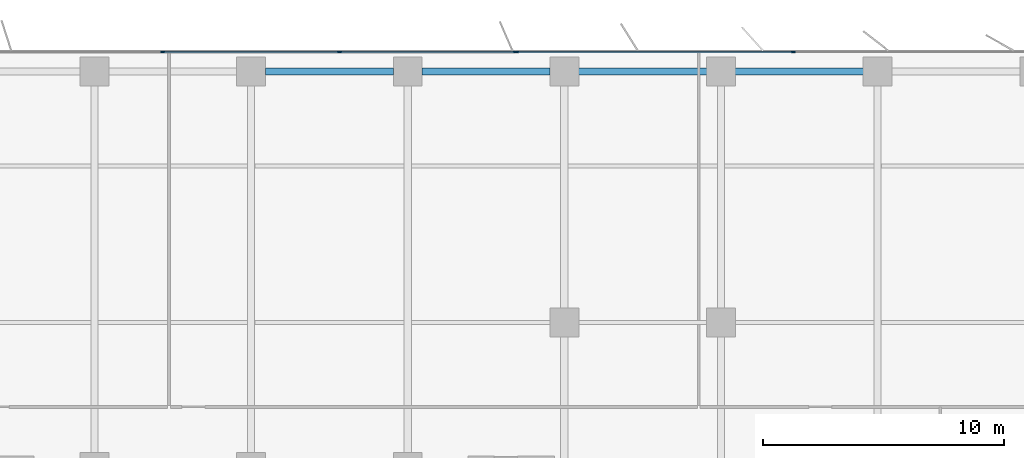
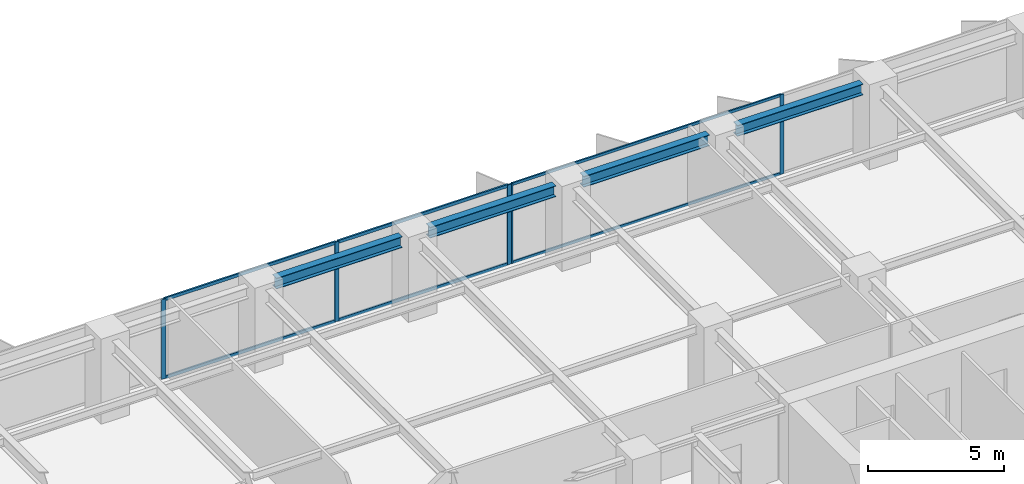
# One storey, part 9 of 20: 11 members, 4 beams, 2 elements without a shape of their own.
"""IFC4 building model written with IfcOpenShell, lengths in metres."""

import ifcopenshell
import ifcopenshell.guid

model = None  # the IFC model being written
_history = None  # IfcOwnerHistory: only IFC2X3 demands one
_inside = {}  # id of a spatial element -> (the spatial element, [elements in it])
_under = {}  # id of a project, library or spatial element -> (it, [spatial elements below it])
_declared = {}  # id of a project -> (the project, [libraries it declares])
_typed = {}  # id of a type object -> (the type object, [elements of that type])
_made_of = {}  # id of a material, layer set ... -> (it, [elements and type objects made of it])


def new_model(schema):
    """Start an empty IFC model of exactly this schema.

    Asked for "IFC4X3", IfcOpenShell would pick the latest addendum, in which some entities
    have other attributes; the version numbers below select the first issue.
    IFC2X3 requires an IfcOwnerHistory on every rooted entity: one is made here for all.
    """
    global model, _history
    if schema == "IFC4X3":
        model = ifcopenshell.file(schema_version=(4, 3, 0, 0))
    else:
        model = ifcopenshell.file(schema=schema)
    _inside.clear()
    _under.clear()
    _declared.clear()
    _typed.clear()
    _made_of.clear()
    _history = None
    if model.schema == "IFC2X3":
        org = make("IfcOrganization", Name="unknown")
        user = make(
            "IfcPersonAndOrganization",
            ThePerson=make("IfcPerson", FamilyName="unknown"),
            TheOrganization=org,
        )
        app = make(
            "IfcApplication",
            ApplicationDeveloper=org,
            Version="unknown",
            ApplicationFullName="unknown",
            ApplicationIdentifier="unknown",
        )
        _history = make(
            "IfcOwnerHistory",
            OwningUser=user,
            OwningApplication=app,
            ChangeAction="ADDED",
            CreationDate=0,
        )
    return model


def make(cls, **values):
    """One entity of the class cls with the attributes given. An attribute that is None is left unset."""
    return model.create_entity(
        cls, **{name: value for name, value in values.items() if value is not None}
    )


def rooted(cls, **values):
    """An entity with a GlobalId (a new one), such as an element, a storey or a relation."""
    return make(cls, GlobalId=ifcopenshell.guid.new(), OwnerHistory=_history, **values)


def si_unit(unit_type, name, prefix=None):
    """IfcSIUnit, for example si_unit("LENGTHUNIT", "METRE", prefix="MILLI")."""
    return make("IfcSIUnit", UnitType=unit_type, Prefix=prefix, Name=name)


def assignment(units):
    """IfcUnitAssignment: the units of a project."""
    return None if units is None else make("IfcUnitAssignment", Units=units)


def point(xyz):
    """IfcCartesianPoint."""
    return None if xyz is None else make("IfcCartesianPoint", Coordinates=xyz)


def direction(xyz):
    """IfcDirection."""
    return None if xyz is None else make("IfcDirection", DirectionRatios=xyz)


def frame(location, z_axis=None, x_axis=None):
    """IfcAxis2Placement3D, a coordinate frame: its origin and axes. An axis left out is left unset."""
    return make(
        "IfcAxis2Placement3D",
        Location=point(location),
        Axis=direction(z_axis),
        RefDirection=direction(x_axis),
    )


def frame_2d(location, x_axis=None):
    """IfcAxis2Placement2D, a coordinate frame in the plane: its origin and x axis."""
    return make(
        "IfcAxis2Placement2D", Location=point(location), RefDirection=direction(x_axis)
    )


def origin():
    """The frame at (0, 0, 0) with its axes left unset."""
    return frame((0.0, 0.0, 0.0))


def origin_2d():
    """The frame at (0, 0) in the plane with its x axis left unset."""
    return frame_2d((0.0, 0.0))


def place(relative_to, where):
    """IfcLocalPlacement: puts the frame where relative to a parent placement (None: the world)."""
    return make(
        "IfcLocalPlacement", PlacementRelTo=relative_to, RelativePlacement=where
    )


def context(
    kind, dimensions, precision=None, world=None, true_north=None, identifier=None
):
    """IfcGeometricRepresentationContext, for example the 3D "Model" context."""
    return make(
        "IfcGeometricRepresentationContext",
        ContextIdentifier=identifier,
        ContextType=kind,
        CoordinateSpaceDimension=dimensions,
        Precision=precision,
        WorldCoordinateSystem=world,
        TrueNorth=true_north,
    )


def subcontext(parent, identifier, kind, view, scale=None):
    """IfcGeometricRepresentationSubContext, for example "Body" below "Model"."""
    return make(
        "IfcGeometricRepresentationSubContext",
        ContextIdentifier=identifier,
        ContextType=kind,
        ParentContext=parent,
        TargetScale=scale,
        TargetView=view,
    )


def project(units=None, contexts=None):
    """IfcProject with its units and contexts."""
    return rooted(
        "IfcProject",
        Name="project",
        RepresentationContexts=contexts,
        UnitsInContext=assignment(units),
    )


def spatial(cls, under=None, at=None, **own):
    """A site, building, storey or space (cls), placed at a placement, below another one or the project."""
    s = rooted(cls, ObjectPlacement=at, **own)
    if under is not None:
        _under.setdefault(under.id(), (under, []))[1].append(s)
    return s


def profile(cls, at=None, kind="AREA", **sizes):
    """A parametric profile (cls). Its sizes go by their IFC names, for example OverallWidth=200.0."""
    return make(cls, ProfileType=kind, Position=at, **sizes)


def rectangle(**sizes):
    """IfcRectangleProfileDef."""
    return profile("IfcRectangleProfileDef", **sizes)


def i_section(**sizes):
    """IfcIShapeProfileDef."""
    return profile("IfcIShapeProfileDef", **sizes)


def extrude(swept, where, along, depth):
    """IfcExtrudedAreaSolid: the profile swept, set in the frame where, extruded along a direction by depth."""
    return make(
        "IfcExtrudedAreaSolid",
        SweptArea=swept,
        Position=where,
        ExtrudedDirection=direction(along),
        Depth=depth,
    )


def shape(context_of_items, identifier, shape_type, items):
    """IfcShapeRepresentation: the items that make up one representation, for example the "Body"."""
    return make(
        "IfcShapeRepresentation",
        ContextOfItems=context_of_items,
        RepresentationIdentifier=identifier,
        RepresentationType=shape_type,
        Items=items,
    )


def material(Name=None, Category=None):
    """IfcMaterial."""
    return make("IfcMaterial", Name=Name, Category=Category)


def layer(
    of_material, thickness, ventilated=None, Name=None, Category=None, Priority=None
):
    """IfcMaterialLayer: one layer of a wall or slab, of a material (None: an air gap)."""
    return make(
        "IfcMaterialLayer",
        Material=of_material,
        LayerThickness=thickness,
        IsVentilated=ventilated,
        Name=Name,
        Category=Category,
        Priority=Priority,
    )


def layer_set(layers, Name=None):
    """IfcMaterialLayerSet."""
    return make("IfcMaterialLayerSet", MaterialLayers=layers, LayerSetName=Name)


def material_profile(
    of_material, cross_section, Name=None, Category=None, Priority=None
):
    """IfcMaterialProfile: a cross section and its material."""
    return make(
        "IfcMaterialProfile",
        Name=Name,
        Material=of_material,
        Profile=cross_section,
        Priority=Priority,
        Category=Category,
    )


def profile_set(profiles, Name=None, composite=None):
    """IfcMaterialProfileSet."""
    return make(
        "IfcMaterialProfileSet",
        Name=Name,
        MaterialProfiles=profiles,
        CompositeProfile=composite,
    )


def made_of(thing, what):
    """Note that an element or type object is made of a material, layer set ...; save() writes the relation."""
    if what is not None:
        _made_of.setdefault(what.id(), (what, []))[1].append(thing)
    return thing


def type_object(cls, material=None, **own):
    """A type object (cls), such as IfcWallType, which elements share."""
    return made_of(rooted(cls, **own), material)


def element(
    cls,
    number,
    at=None,
    inside=None,
    cuts=None,
    type_object=None,
    material=None,
    context=None,
    identifier="Body",
    shape_type=None,
    held_by="IfcProductDefinitionShape",
    body=None,
    shapes=None,
    **own,
):
    """One element of the class cls, such as IfcWall. Its Tag is "e" and its number.

    at: its placement. inside: the storey or other place that contains it. cuts: it is an
    opening in that element (IfcRelVoidsElement). A single representation is given by context,
    identifier, shape_type and body (its items); several are given by shapes. held_by: the class
    of the entity that holds the representations. save() writes the other relations.
    """
    e = rooted(cls, Tag="e%d" % number, ObjectPlacement=at, **own)
    if body is not None:
        shapes = [shape(context, identifier, shape_type, body)]
    if shapes is not None:
        e.Representation = make(held_by, Representations=shapes)
    if inside is not None:
        _inside.setdefault(inside.id(), (inside, []))[1].append(e)
    if cuts is not None:
        rooted(
            "IfcRelVoidsElement", RelatingBuildingElement=cuts, RelatedOpeningElement=e
        )
    if type_object is not None:
        _typed.setdefault(type_object.id(), (type_object, []))[1].append(e)
    return made_of(e, material)


def aggregate(whole, parts):
    """IfcRelAggregates: a whole, such as a stair, and the parts it consists of."""
    return rooted("IfcRelAggregates", RelatingObject=whole, RelatedObjects=parts)


def save(model, path):
    """Write the relations noted so far, then the file.

    IfcRelAggregates (storeys below a building ...), IfcRelContainedInSpatialStructure (elements
    in a storey), IfcRelDefinesByType, IfcRelAssociatesMaterial and IfcRelDeclares: one each for
    every whole, place, type object, material and project.
    """
    for whole, parts in _under.values():
        aggregate(whole, parts)
    for where, things in _inside.values():
        rooted(
            "IfcRelContainedInSpatialStructure",
            RelatedElements=things,
            RelatingStructure=where,
        )
    for kind, things in _typed.values():
        rooted("IfcRelDefinesByType", RelatedObjects=things, RelatingType=kind)
    for what, things in _made_of.values():
        rooted("IfcRelAssociatesMaterial", RelatedObjects=things, RelatingMaterial=what)
    for by, libraries in _declared.values():
        rooted("IfcRelDeclares", RelatingContext=by, RelatedDefinitions=libraries)
    model.write(path)


model = new_model("IFC4")

# Units and contexts
model_context = context("Model", 3, precision=1e-05, world=origin(), true_north=direction((0.0, 1.0)))
body_context = subcontext(model_context, "Body", "Model", "MODEL_VIEW")
ifc_project = project(units=[si_unit("LENGTHUNIT", "METRE"), si_unit("AREAUNIT", "SQUARE_METRE"), si_unit("VOLUMEUNIT", "CUBIC_METRE"), si_unit("PLANEANGLEUNIT", "RADIAN"), si_unit("MASSUNIT", "GRAM", prefix="KILO")], contexts=[model_context])

# Site, building, storey
site_placement = place(None, origin())
site = spatial("IfcSite", under=ifc_project, at=site_placement, CompositionType="ELEMENT")
building_placement = place(site_placement, origin())
building = spatial("IfcBuilding", under=site, at=building_placement, Name="Putna Gate Headquarters", CompositionType="ELEMENT")
storey_placement = place(building_placement, frame((0.0, 0.0, 97.39990234375)))
storey = spatial("IfcBuildingStorey", under=building, at=storey_placement, Name="L23", CompositionType="ELEMENT", Elevation=97.39990234375)

# Beams
ifc_material_1 = material(Name="Steel S355J2", Category="steel")
ifc_material_profile_1 = material_profile(ifc_material_1, i_section(OverallWidth=0.300048828125, OverallDepth=0.489990234375, WebThickness=0.011962890625, FlangeThickness=0.02294921875, at=origin_2d()), Name="Steel S355J2")
ifc_profile_set_1 = profile_set([ifc_material_profile_1], Name="Steel S355J2")
beam_type = type_object("IfcBeamType", Name="BM-SPAN-Z2-HEA500", PredefinedType="SPANDREL", material=ifc_profile_set_1)
for number, where, z_axis, x_axis, name in (
    (1, (39.587890625, 49.419921875, 3.320068359375), (1.0, 0.0, 0.0), (0.0, 1.0, 0.0), "L23 N Perimeter Spandrel 6"),
    (2, (46.087890625, 49.419921875, 3.320068359375), (1.0, 0.0, 0.0), (0.0, 1.0, 0.0), "L23 N Perimeter Spandrel 7"),
    (3, (52.587890625, 49.419921875, 3.320068359375), (1.0, 0.0, 0.0), (0.0, 1.0, 0.0), "L23 N Perimeter Spandrel 8"),
    (4, (59.087890625, 49.419921875, 3.320068359375), (1.0, 0.0, 0.0), (0.0, 1.0, 0.0), "L23 N Perimeter Spandrel 9"),
):
    element("IfcBeam", number, at=place(storey_placement, frame(where, z_axis=z_axis, x_axis=x_axis)), inside=storey, type_object=beam_type, Name=name, PredefinedType="SPANDREL", context=body_context, shape_type="SweptSolid", body=[
        extrude(i_section(OverallWidth=0.300048828125, OverallDepth=0.489990234375, WebThickness=0.011962890625, FlangeThickness=0.02294921875, at=origin_2d()), origin(), (0.0, 0.0, 1.0), 5.32421875),
    ])

# Curtain wall, members
ifc_material_2 = material(Name="Anodised bronze aluminium curtain wall", Category="aluminium")
ifc_layer_1 = layer(ifc_material_2, 0.159912109375)
ifc_layer_set_1 = layer_set([ifc_layer_1], Name="Anodised bronze aluminium curtain wall")
curtain_wall_type_1 = type_object("IfcCurtainWallType", Name="CW-SYS-Z2", PredefinedType="USERDEFINED", material=ifc_layer_set_1)
curtain_wall_1_placement = place(storey_placement, origin())
curtain_wall_1 = element("IfcCurtainWall", 5, at=curtain_wall_1_placement, inside=storey, type_object=curtain_wall_type_1, Name="L23 North East Curtain Wall", ObjectType="STICK CURTAIN WALL", PredefinedType="USERDEFINED")
ifc_material_3 = material(Name="Anodised bronze aluminium EN AW-6060", Category="aluminium")
ifc_material_profile_2 = material_profile(ifc_material_3, rectangle(XDim=0.06494140625, YDim=0.159912109375, at=origin_2d()), Name="Anodised bronze aluminium EN AW-6060")
ifc_profile_set_2 = profile_set([ifc_material_profile_2], Name="Anodised bronze aluminium EN AW-6060")
member_type_1 = type_object("IfcMemberType", Name="MULL-CWM-2", PredefinedType="MULLION", material=ifc_profile_set_2)
member_1_placement = place(storey_placement, frame((50.032470703125, 50.219970703125, 0.0), z_axis=(0.0, 0.0, 1.0), x_axis=(0.0, 1.0, 0.0)))
member_1 = element("IfcMember", 6, at=member_1_placement, type_object=member_type_1, Name="CWS-2 mullion 1", PredefinedType="MULLION", context=body_context, shape_type="SweptSolid", body=[
    extrude(rectangle(XDim=0.06494140625, YDim=0.159912109375, at=origin_2d()), origin(), (0.0, 0.0, 1.0), 3.565185546875),
])
member_2_placement = place(storey_placement, frame((61.5, 50.219970703125, 0.0), z_axis=(0.0, 0.0, 1.0), x_axis=(0.0, 1.0, 0.0)))
member_2 = element("IfcMember", 7, at=member_2_placement, type_object=member_type_1, Name="CWS-2 mullion 2", PredefinedType="MULLION", context=body_context, shape_type="SweptSolid", body=[
    extrude(rectangle(XDim=0.06494140625, YDim=0.159912109375, at=origin_2d()), origin(), (0.0, 0.0, 1.0), 3.565185546875),
])

ifc_layer_2 = layer(ifc_material_2, 0.179931640625)
ifc_layer_set_2 = layer_set([ifc_layer_2], Name="Anodised bronze aluminium curtain wall")
curtain_wall_type_2 = type_object("IfcCurtainWallType", Name="CW-SYS-ATR", PredefinedType="USERDEFINED", material=ifc_layer_set_2)
curtain_wall_2_placement = place(storey_placement, origin())
curtain_wall_2 = element("IfcCurtainWall", 8, at=curtain_wall_2_placement, inside=storey, type_object=curtain_wall_type_2, Name="L23 North Atrium Clear Glazing", ObjectType="ATRIUM GLAZING", PredefinedType="USERDEFINED")
ifc_material_profile_3 = material_profile(ifc_material_3, rectangle(XDim=0.070068359375, YDim=0.179931640625, at=origin_2d()), Name="Anodised bronze aluminium EN AW-6060")
ifc_profile_set_3 = profile_set([ifc_material_profile_3], Name="Anodised bronze aluminium EN AW-6060")
member_type_2 = type_object("IfcMemberType", Name="MULL-CWM-AT", PredefinedType="MULLION", material=ifc_profile_set_3)
member_3_placement = place(storey_placement, frame((35.333251953125, 50.219970703125, 0.0), z_axis=(0.0, 0.0, 1.0), x_axis=(0.0, 1.0, 0.0)))
member_3 = element("IfcMember", 9, at=member_3_placement, type_object=member_type_2, Name="CWS-AT mullion 2", PredefinedType="MULLION", context=body_context, shape_type="SweptSolid", body=[
    extrude(rectangle(XDim=0.070068359375, YDim=0.179931640625, at=origin_2d()), origin(), (0.0, 0.0, 1.0), 3.565185546875),
])
member_4_placement = place(storey_placement, frame((42.666748046875, 50.219970703125, 0.0), z_axis=(0.0, 0.0, 1.0), x_axis=(0.0, 1.0, 0.0)))
member_4 = element("IfcMember", 10, at=member_4_placement, type_object=member_type_2, Name="CWS-AT mullion 3", PredefinedType="MULLION", context=body_context, shape_type="SweptSolid", body=[
    extrude(rectangle(XDim=0.070068359375, YDim=0.179931640625, at=origin_2d()), origin(), (0.0, 0.0, 1.0), 3.565185546875),
])
member_5_placement = place(storey_placement, frame((49.965087890625, 50.219970703125, 0.0), z_axis=(0.0, 0.0, 1.0), x_axis=(0.0, 1.0, 0.0)))
member_5 = element("IfcMember", 11, at=member_5_placement, type_object=member_type_2, Name="CWS-AT mullion 4", PredefinedType="MULLION", context=body_context, shape_type="SweptSolid", body=[
    extrude(rectangle(XDim=0.070068359375, YDim=0.179931640625, at=origin_2d()), origin(), (0.0, 0.0, 1.0), 3.565185546875),
])

# Member
ifc_material_profile_4 = material_profile(ifc_material_3, rectangle(XDim=0.06494140625, YDim=0.1201171875, at=origin_2d()), Name="Anodised bronze aluminium EN AW-6060")
ifc_profile_set_4 = profile_set([ifc_material_profile_4], Name="Anodised bronze aluminium EN AW-6060")
member_type_3 = type_object("IfcMemberType", Name="TRAN-CWT-2", PredefinedType="USERDEFINED", material=ifc_profile_set_4)
member_6_placement = place(storey_placement, frame((50.06494140625, 50.219970703125, 0.03271484375), z_axis=(1.0, 0.0, 0.0), x_axis=(0.0, 1.0, 0.0)))
member_6 = element("IfcMember", 12, at=member_6_placement, type_object=member_type_3, Name="CWS-2 transom 1.1", ObjectType="TRANSOM", PredefinedType="USERDEFINED", context=body_context, shape_type="SweptSolid", body=[
    extrude(rectangle(XDim=0.06494140625, YDim=0.1201171875, at=origin_2d()), origin(), (0.0, 0.0, 1.0), 11.402587890625),
])

member_7_placement = place(storey_placement, frame((50.06494140625, 50.219970703125, 3.53271484375), z_axis=(1.0, 0.0, 0.0), x_axis=(0.0, 1.0, 0.0)))
member_7 = element("IfcMember", 13, at=member_7_placement, type_object=member_type_3, Name="CWS-2 transom 1.2", ObjectType="TRANSOM", PredefinedType="USERDEFINED", context=body_context, shape_type="SweptSolid", body=[
    extrude(rectangle(XDim=0.06494140625, YDim=0.1201171875, at=origin_2d()), origin(), (0.0, 0.0, 1.0), 11.402587890625),
])

aggregate(curtain_wall_1, [member_1, member_2, member_6, member_7])

ifc_material_profile_5 = material_profile(ifc_material_3, rectangle(XDim=0.070068359375, YDim=0.139892578125, at=origin_2d()), Name="Anodised bronze aluminium EN AW-6060")
ifc_profile_set_5 = profile_set([ifc_material_profile_5], Name="Anodised bronze aluminium EN AW-6060")
member_type_4 = type_object("IfcMemberType", Name="TRAN-CWT-AT", PredefinedType="USERDEFINED", material=ifc_profile_set_5)
member_8_placement = place(storey_placement, frame((35.368408203125, 50.219970703125, 0.03515625), z_axis=(1.0, 0.0, 0.0), x_axis=(0.0, 1.0, 0.0)))
member_8 = element("IfcMember", 14, at=member_8_placement, type_object=member_type_4, Name="CWS-AT transom 2.1", ObjectType="TRANSOM", PredefinedType="USERDEFINED", context=body_context, shape_type="SweptSolid", body=[
    extrude(rectangle(XDim=0.070068359375, YDim=0.139892578125, at=origin_2d()), origin(), (0.0, 0.0, 1.0), 7.26318359375),
])

member_9_placement = place(storey_placement, frame((35.368408203125, 50.219970703125, 3.530029296875), z_axis=(1.0, 0.0, 0.0), x_axis=(0.0, 1.0, 0.0)))
member_9 = element("IfcMember", 15, at=member_9_placement, type_object=member_type_4, Name="CWS-AT transom 2.2", ObjectType="TRANSOM", PredefinedType="USERDEFINED", context=body_context, shape_type="SweptSolid", body=[
    extrude(rectangle(XDim=0.070068359375, YDim=0.139892578125, at=origin_2d()), origin(), (0.0, 0.0, 1.0), 7.26318359375),
])

member_10_placement = place(storey_placement, frame((42.70166015625, 50.219970703125, 0.03515625), z_axis=(1.0, 0.0, 0.0), x_axis=(0.0, 1.0, 0.0)))
member_10 = element("IfcMember", 16, at=member_10_placement, type_object=member_type_4, Name="CWS-AT transom 3.1", ObjectType="TRANSOM", PredefinedType="USERDEFINED", context=body_context, shape_type="SweptSolid", body=[
    extrude(rectangle(XDim=0.070068359375, YDim=0.139892578125, at=origin_2d()), origin(), (0.0, 0.0, 1.0), 7.228271484375),
])

member_11_placement = place(storey_placement, frame((42.70166015625, 50.219970703125, 3.530029296875), z_axis=(1.0, 0.0, 0.0), x_axis=(0.0, 1.0, 0.0)))
member_11 = element("IfcMember", 17, at=member_11_placement, type_object=member_type_4, Name="CWS-AT transom 3.2", ObjectType="TRANSOM", PredefinedType="USERDEFINED", context=body_context, shape_type="SweptSolid", body=[
    extrude(rectangle(XDim=0.070068359375, YDim=0.139892578125, at=origin_2d()), origin(), (0.0, 0.0, 1.0), 7.228271484375),
])

aggregate(curtain_wall_2, [member_3, member_4, member_5, member_8, member_9, member_10, member_11])

save(model, "model.ifc")
